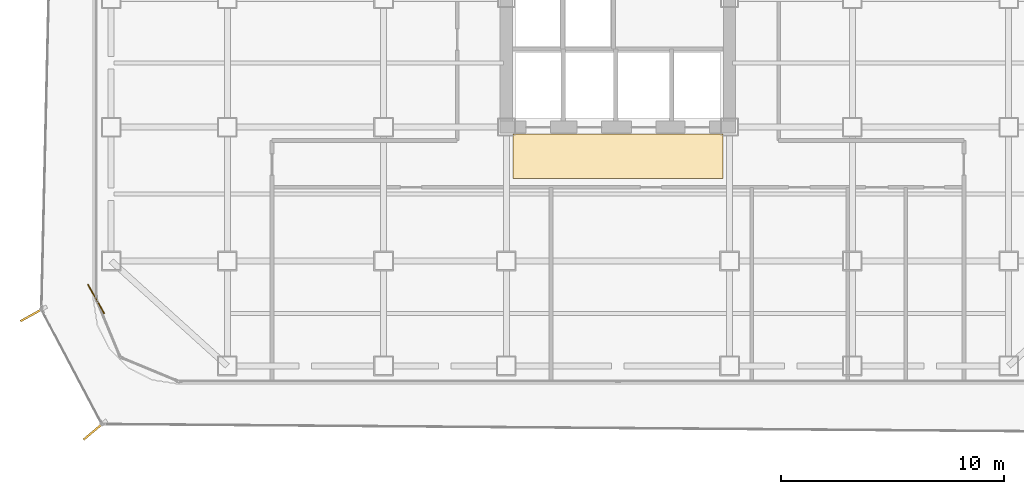
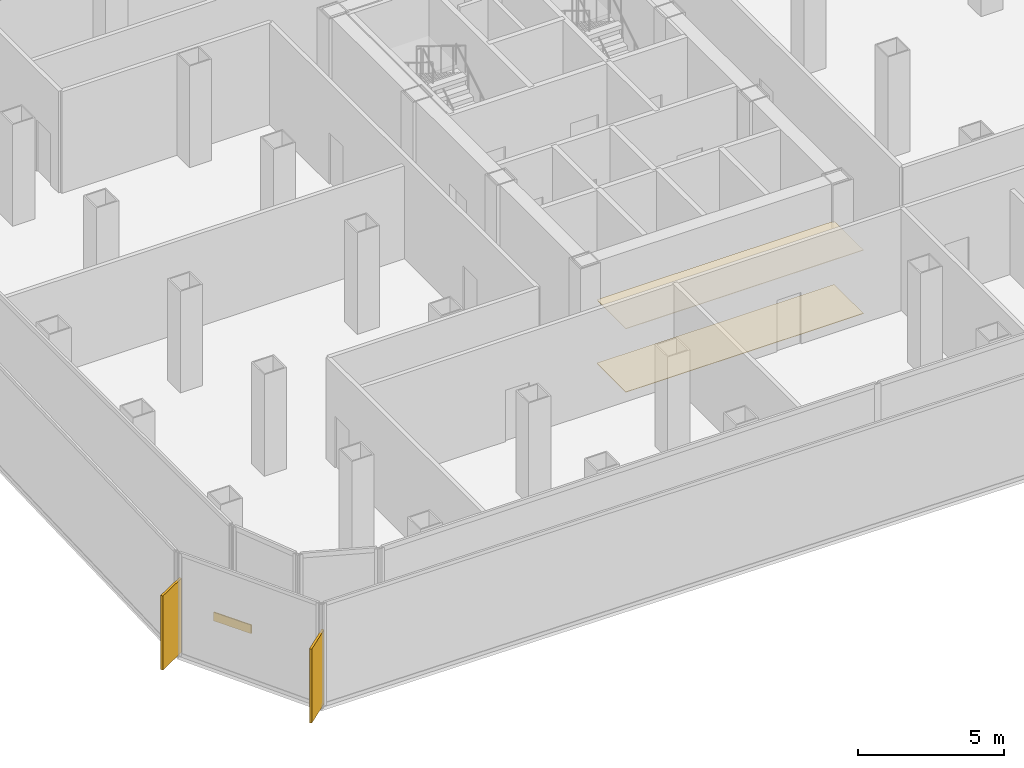
# One storey, part 19 of 21: 3 coverings, 2 shading devices.
"""IFC4 building model written with IfcOpenShell, lengths in metres."""

from ifc_helpers import new_model, si_unit, direction, frame, origin, origin_2d, place, context, subcontext, project, spatial, polyline, rectangle, outline, extrude, source, transform, mapped, material, layer, layer_set, type_object, element, save


model = new_model("IFC4")

# Units and contexts
model_context = context("Model", 3, precision=1e-05, world=origin(), true_north=direction((0.0, 1.0)))
body_context = subcontext(model_context, "Body", "Model", "MODEL_VIEW")
ifc_project = project(units=[si_unit("LENGTHUNIT", "METRE"), si_unit("AREAUNIT", "SQUARE_METRE"), si_unit("VOLUMEUNIT", "CUBIC_METRE"), si_unit("PLANEANGLEUNIT", "RADIAN"), si_unit("MASSUNIT", "GRAM", prefix="KILO")], contexts=[model_context])

# Site, building, storey
site_placement = place(None, origin())
site = spatial("IfcSite", under=ifc_project, at=site_placement, CompositionType="ELEMENT")
building_placement = place(site_placement, origin())
building = spatial("IfcBuilding", under=site, at=building_placement, Name="Kolveth Station Tower", CompositionType="ELEMENT")
storey_placement = place(building_placement, frame((0.0, 0.0, 88.199951171875)))
storey = spatial("IfcBuildingStorey", under=building, at=storey_placement, Name="L23", CompositionType="ELEMENT", Elevation=88.199951171875)

# Coverings
ifc_material_1 = material(Name="Acoustic mineral-fibre ceiling tile")
ifc_layer_1 = layer(ifc_material_1, 0.02490234375)
ifc_layer_set_1 = layer_set([ifc_layer_1], Name="Acoustic mineral-fibre ceiling tile")
covering_type_1 = type_object("IfcCoveringType", Name="Ceil_CL1", PredefinedType="CEILING", material=ifc_layer_set_1)
covering_1_placement = place(storey_placement, frame((0.0, 0.0, 2.650146484375)))
element("IfcCovering", 1, at=covering_1_placement, inside=storey, type_object=covering_type_1, Name="L23 Lift Lobby Suspended Ceiling", PredefinedType="CEILING", context=body_context, shape_type="SweptSolid", body=[
    extrude(outline(polyline([(18.800048828125, 9.199951171875), (28.199951171875, 9.199951171875), (28.199951171875, 11.199951171875), (18.800048828125, 11.199951171875), (18.800048828125, 9.199951171875)])), origin(), (0.0, 0.0, 1.0), 0.02490234375),
])
ifc_material_2 = material(Name="Honed terrazzo flooring")
ifc_layer_2 = layer(ifc_material_2, 0.02001953125)
ifc_layer_set_2 = layer_set([ifc_layer_2], Name="Honed terrazzo flooring")
covering_type_2 = type_object("IfcCoveringType", Name="Floor_FL1", PredefinedType="FLOORING", material=ifc_layer_set_2)
covering_2_placement = place(storey_placement, origin())
element("IfcCovering", 2, at=covering_2_placement, inside=storey, type_object=covering_type_2, Name="L23 Lift Lobby Floor Finish", PredefinedType="FLOORING", context=body_context, shape_type="SweptSolid", body=[
    extrude(outline(polyline([(18.800048828125, 9.199951171875), (28.199951171875, 9.199951171875), (28.199951171875, 11.199951171875), (18.800048828125, 11.199951171875), (18.800048828125, 9.199951171875)])), origin(), (0.0, 0.0, 1.0), 0.02001953125),
])

# Shading devices
ifc_material_3 = material(Name="Black anodized aluminium 6063-T6", Category="aluminium")
shading_device_type = type_object("IfcShadingDeviceType", Name="FIN_VF1", PredefinedType="USERDEFINED", material=ifc_material_3)
shared_shape_1 = source(origin(), body_context, "Body", "SweptSolid", [
    extrude(rectangle(XDim=1.25, YDim=0.090087890625, at=origin_2d()), origin(), (0.0, 0.0, 1.0), 3.10009765625),
])
for number, where, z_axis, x_axis, name in (
    (3, (-2.718994140625, 3.10888671875, 0.0), (0.0, 0.0, 1.0), (-0.874535078577, -0.484962262797, 0.0), "L23 Dark-Aluminium Solar Fin 7"),
    (4, (0.041015625, -2.096923828125, 0.0), (0.0, 0.0, 1.0), (-0.765033810049, -0.643990115982, 0.0), "L23 Dark-Aluminium Solar Fin 8"),
):
    element("IfcShadingDevice", number, at=place(storey_placement, frame(where, z_axis=z_axis, x_axis=x_axis)), inside=storey, type_object=shading_device_type, Name=name, ObjectType="FIN", PredefinedType="USERDEFINED", context=body_context, shape_type="MappedRepresentation", body=[
        mapped(shared_shape_1, transform((0.0, 0.0, 0.0), x_axis=(1.0, 0.0, 0.0), y_axis=(0.0, 1.0, 0.0), z_axis=(0.0, 0.0, 1.0), scale=1.0)),
    ])

# Covering
ifc_material_4 = material(Name="Charcoal anodized aluminium spandrel cladding", Category="aluminium")
ifc_layer_3 = layer(ifc_material_4, 0.044921875)
ifc_layer_set_3 = layer_set([ifc_layer_3], Name="Charcoal anodized aluminium spandrel cladding")
covering_type_3 = type_object("IfcCoveringType", Name="Clad_CD1", PredefinedType="CLADDING", material=ifc_layer_set_3)
shared_shape_2 = source(origin(), body_context, "Body", "SweptSolid", [
    extrude(rectangle(XDim=1.5, YDim=0.044921875, at=origin_2d()), origin(), (0.0, 0.0, 1.0), 0.360107421875),
])
covering_3_placement = place(storey_placement, frame((0.1201171875, 3.800048828125, 0.0), z_axis=(0.0, 0.0, 1.0), x_axis=(0.484962262797, -0.874535078577, 0.0)))
element("IfcCovering", 5, at=covering_3_placement, inside=storey, type_object=covering_type_3, Name="L23 Spandrel Edge Cladding 7", PredefinedType="CLADDING", context=body_context, shape_type="MappedRepresentation", body=[
    mapped(shared_shape_2, transform((0.0, 0.0, 0.0), x_axis=(1.0, 0.0, 0.0), y_axis=(0.0, 1.0, 0.0), z_axis=(0.0, 0.0, 1.0), scale=1.0)),
])

save(model, "model.ifc")
